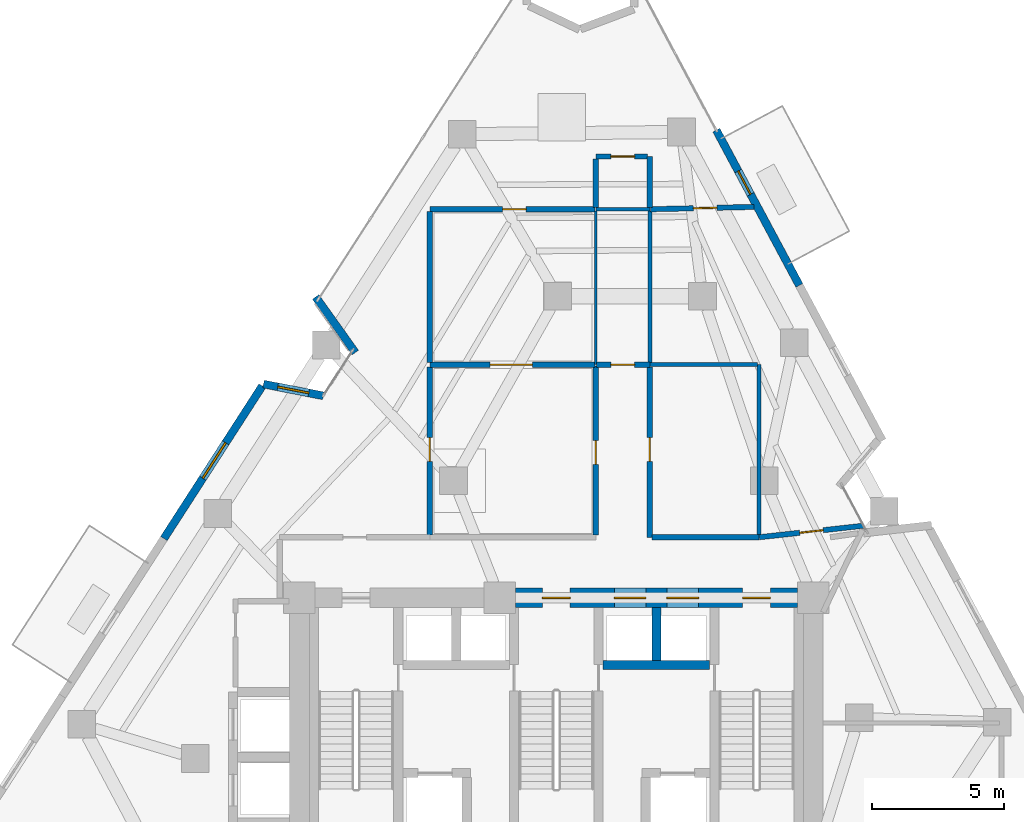
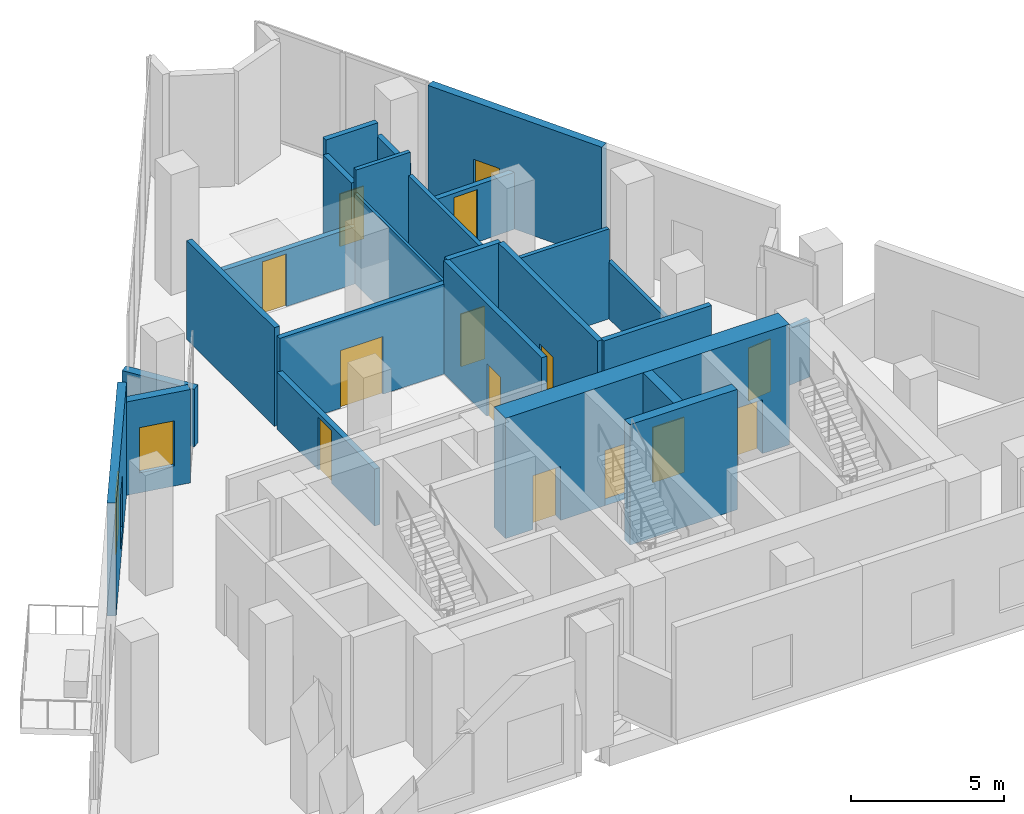
# One storey, part 7 of 10: 25 walls, 14 doors, 2 windows, 16 openings.
"""IFC4 building model written with IfcOpenShell, lengths in metres."""

from ifc_helpers import new_model, si_unit, direction, frame, frame_2d, origin, place, context, subcontext, project, spatial, rectangle, extrude, material, layer, layer_set, type_object, element, fill, save


model = new_model("IFC4")

# Units and contexts
model_context = context("Model", 3, precision=1e-05, world=origin(), true_north=direction((0.0, 1.0)))
body_context = subcontext(model_context, "Body", "Model", "MODEL_VIEW")
ifc_project = project(units=[si_unit("LENGTHUNIT", "METRE"), si_unit("AREAUNIT", "SQUARE_METRE"), si_unit("VOLUMEUNIT", "CUBIC_METRE"), si_unit("PLANEANGLEUNIT", "RADIAN"), si_unit("MASSUNIT", "GRAM", prefix="KILO")], contexts=[model_context])

# Site, building, storey
site_placement = place(None, origin())
site = spatial("IfcSite", under=ifc_project, at=site_placement, CompositionType="ELEMENT")
building_placement = place(site_placement, origin())
building = spatial("IfcBuilding", under=site, at=building_placement, Name="Almagre Mirador Tower", CompositionType="ELEMENT")
storey_placement = place(building_placement, frame((0.0, 0.0, 196.800048828125)))
storey = spatial("IfcBuildingStorey", under=building, at=storey_placement, Name="L51", CompositionType="ELEMENT", Elevation=196.800048828125)

# Wall, opening, window
ifc_material_1 = material(Name="Precast concrete C50/60", Category="concrete")
ifc_layer_1 = layer(ifc_material_1, 0.300048828125)
ifc_layer_set_1 = layer_set([ifc_layer_1], Name="Precast concrete C50/60")
wall_type_1 = type_object("IfcWallType", Name="WAL-EXT-300", PredefinedType="SOLIDWALL", material=ifc_layer_set_1)
wall_1_placement = place(storey_placement, frame((26.18701171875, 22.864990234375, 0.0), z_axis=(0.0, 0.0, 1.0), x_axis=(0.981236700383, -0.1928069963, 0.0)))
wall_1 = element("IfcWall", 1, at=wall_1_placement, inside=storey, type_object=wall_type_1, Name="L51 expressed almagre precast frame wall 01", PredefinedType="SOLIDWALL", context=body_context, shape_type="SweptSolid", body=[
    extrude(rectangle(XDim=2.3134765625, YDim=0.300048828125, at=frame_2d((1.15673828125, 0.0))), origin(), (0.0, 0.0, 1.0), 3.724853515625),
])
opening_1_placement = place(wall_1_placement, frame((0.550048828125, 0.0, 0.800048828125)))
opening_1 = element("IfcOpeningElement", 2, at=opening_1_placement, cuts=wall_1, Name="Opening WN-04", PredefinedType="OPENING", context=body_context, shape_type="SweptSolid", body=[
    extrude(rectangle(XDim=1.199951171875, YDim=1.800048828125, at=frame_2d((0.60009765625, 0.89990234375))), frame((0.0, 0.159902, 0.0), z_axis=(0.0, -1.0, 0.0), x_axis=(1.0, 0.0, 0.0)), (0.0, 0.0, 1.0), 0.320049),
])
ifc_material_2 = material(Name="Dark solar-control laminated hurricane glass", Category="glass")
window_type_1 = type_object("IfcWindowType", Name="WIN-1200X1800", PartitioningType="SINGLE_PANEL", PredefinedType="WINDOW", material=ifc_material_2)
window_1_placement = place(opening_1_placement, origin())
window_1 = element("IfcWindow", 3, at=window_1_placement, inside=storey, type_object=window_type_1, Name="L51 recessed hurricane window L51-SLOB-2", OverallHeight=1.800048828125, OverallWidth=1.199951171875, PartitioningType="SINGLE_PANEL", PredefinedType="WINDOW", context=body_context, shape_type="SweptSolid", body=[
    extrude(rectangle(XDim=1.199951171875, YDim=1.800048828125, at=frame_2d((0.60009765625, 0.89990234375))), frame((0.0, 0.030029296875, 0.0), z_axis=(0.0, -1.0, 0.0), x_axis=(1.0, 0.0, 0.0)), (0.0, 0.0, 1.0), 0.06005859375),
])
fill(opening_1, window_1)

# Wall
wall_2_placement = place(storey_placement, frame((29.67138671875, 24.06103515625, 0.0), z_axis=(0.0, 0.0, 1.0), x_axis=(-0.580472212384, 0.814280056645, 0.0)))
element("IfcWall", 4, at=wall_2_placement, inside=storey, type_object=wall_type_1, Name="L51 expressed almagre precast frame wall 02", PredefinedType="SOLIDWALL", context=body_context, shape_type="SweptSolid", body=[
    extrude(rectangle(XDim=2.59375, YDim=0.300048828125, at=frame_2d((1.296875, 0.0))), origin(), (0.0, 0.0, 1.0), 2.300048828125),
])

# Wall, opening, door
wall_3_placement = place(storey_placement, frame((43.3740234375, 32.503173828125, 0.0), z_axis=(0.0, 0.0, 1.0), x_axis=(0.471750001728, -0.881732349338, 0.0)))
wall_3 = element("IfcWall", 5, at=wall_3_placement, inside=storey, type_object=wall_type_1, Name="L51 expressed almagre precast frame wall 07", PredefinedType="SOLIDWALL", context=body_context, shape_type="SweptSolid", body=[
    extrude(rectangle(XDim=6.683837890625, YDim=0.300048828125, at=frame_2d((3.341796875, 0.0))), origin(), (0.0, 0.0, 1.0), 4.5),
])
opening_2_placement = place(wall_3_placement, frame((1.761962890625, 0.0, 0.0)))
opening_2 = element("IfcOpeningElement", 6, at=opening_2_placement, cuts=wall_3, Name="Opening BD-01", PredefinedType="OPENING", context=body_context, shape_type="SweptSolid", body=[
    extrude(rectangle(XDim=1.0, YDim=2.199951171875, at=frame_2d((0.5, 1.10009765625))), frame((0.0, 0.159902, 0.0), z_axis=(0.0, -1.0, 0.0), x_axis=(1.0, 0.0, 0.0)), (0.0, 0.0, 1.0), 0.320049),
])
ifc_material_3 = material(Name="Black anodized aluminium and laminated glass", Category="aluminium")
door_type_1 = type_object("IfcDoorType", Name="DOR-BAL-1000X2200", OperationType="NOTDEFINED", PredefinedType="DOOR", material=ifc_material_3)
door_1_placement = place(opening_2_placement, origin())
door_1 = element("IfcDoor", 7, at=door_1_placement, inside=storey, type_object=door_type_1, Name="DR-1596 L51 east balcony glazed door 1", OperationType="SINGLE_SWING_RIGHT", OverallHeight=2.199951171875, OverallWidth=1.0, PredefinedType="DOOR", context=body_context, shape_type="SweptSolid", body=[
    extrude(rectangle(XDim=1.0, YDim=2.199951171875, at=frame_2d((0.5, 1.10009765625))), frame((0.0, 0.02490234375, 0.0), z_axis=(0.0, -1.0, 0.0), x_axis=(1.0, 0.0, 0.0)), (0.0, 0.0, 1.0), 0.050048828125),
])
fill(opening_2, door_1)

# Wall, opening, window
wall_4_placement = place(storey_placement, frame((22.406005859375, 17.0029296875, 0.0), z_axis=(0.0, 0.0, 1.0), x_axis=(0.542012269595, 0.840370572788, 0.0)))
wall_4 = element("IfcWall", 8, at=wall_4_placement, inside=storey, type_object=wall_type_1, Name="L51 expressed almagre precast frame wall 30", PredefinedType="SOLIDWALL", context=body_context, shape_type="SweptSolid", body=[
    extrude(rectangle(XDim=6.890625, YDim=0.300048828125, at=frame_2d((3.4453125, 0.0))), origin(), (0.0, 0.0, 1.0), 4.5),
])
opening_3_placement = place(wall_4_placement, frame((2.72509765625, 0.0, 0.550048828125)))
opening_3 = element("IfcOpeningElement", 9, at=opening_3_placement, cuts=wall_4, Name="Opening WN-06", PredefinedType="OPENING", context=body_context, shape_type="SweptSolid", body=[
    extrude(rectangle(XDim=1.60009765625, YDim=2.199951171875, at=frame_2d((0.800048828125, 1.10009765625))), frame((0.0, 0.159902, 0.0), z_axis=(0.0, -1.0, 0.0), x_axis=(1.0, 0.0, 0.0)), (0.0, 0.0, 1.0), 0.320049),
])
ifc_material_4 = material(Name="Dark solar-control laminated hurricane glass", Category="glass")
window_type_2 = type_object("IfcWindowType", Name="WIN-1600X2200", PartitioningType="DOUBLE_PANEL_VERTICAL", PredefinedType="WINDOW", material=ifc_material_4)
window_2_placement = place(opening_3_placement, origin())
window_2 = element("IfcWindow", 10, at=window_2_placement, inside=storey, type_object=window_type_2, Name="L51 recessed hurricane window L51-SLOB-2", OverallHeight=2.199951171875, OverallWidth=1.60009765625, PartitioningType="SINGLE_PANEL", PredefinedType="WINDOW", context=body_context, shape_type="SweptSolid", body=[
    extrude(rectangle(XDim=1.60009765625, YDim=2.199951171875, at=frame_2d((0.800048828125, 1.10009765625))), frame((0.0, 0.030029296875, 0.0), z_axis=(0.0, -1.0, 0.0), x_axis=(1.0, 0.0, 0.0)), (0.0, 0.0, 1.0), 0.06005859375),
])
fill(opening_3, window_2)

# Walls
ifc_material_5 = material(Name="Gypsum acoustic stud partition", Category="other")
ifc_layer_2 = layer(ifc_material_5, 0.10009765625)
ifc_layer_set_2 = layer_set([ifc_layer_2], Name="Gypsum acoustic stud partition")
wall_type_2 = type_object("IfcWallType", Name="WAL-PRT-100-CLS", PredefinedType="PARTITIONING", material=ifc_layer_set_2)
wall_5_placement = place(storey_placement, frame((38.800048828125, 29.43994140625, 0.0), z_axis=(0.0, 0.0, 1.0), x_axis=(0.0, -1.0, 0.0)))
element("IfcWall", 11, at=wall_5_placement, inside=storey, type_object=wall_type_2, Name="L51 interior partition 005", PredefinedType="PARTITIONING", context=body_context, shape_type="SweptSolid", body=[
    extrude(rectangle(XDim=5.83984375, YDim=0.10009765625, at=frame_2d((2.919921875, 0.0))), origin(), (0.0, 0.0, 1.0), 3.5859375),
])
ifc_material_6 = material(Name="Gypsum acoustic stud partition", Category="other")
ifc_layer_3 = layer(ifc_material_6, 0.14990234375)
ifc_layer_set_3 = layer_set([ifc_layer_3], Name="Gypsum acoustic stud partition")
wall_type_3 = type_object("IfcWallType", Name="WAL-PRT-150-STD", PredefinedType="PARTITIONING", material=ifc_layer_set_3)
wall_6_placement = place(storey_placement, frame((38.800048828125, 29.5, 0.0), z_axis=(0.0, 0.0, 1.0), x_axis=(1.0, 0.0, 0.0)))
element("IfcWall", 12, at=wall_6_placement, inside=storey, type_object=wall_type_3, Name="L51 interior partition 001", PredefinedType="PARTITIONING", context=body_context, shape_type="SweptSolid", body=[
    extrude(rectangle(XDim=2.050048828125, YDim=0.14990234375, at=frame_2d((1.02490234375, 0.0))), origin(), (0.0, 0.0, 1.0), 4.5),
])
wall_7_placement = place(storey_placement, frame((40.85009765625, 23.68505859375, 0.0), z_axis=(0.0, 0.0, 1.0), x_axis=(0.0, 1.0, 0.0)))
element("IfcWall", 13, at=wall_7_placement, inside=storey, type_object=wall_type_3, Name="L51 interior partition 007", PredefinedType="PARTITIONING", context=body_context, shape_type="SweptSolid", body=[
    extrude(rectangle(XDim=5.7548828125, YDim=0.14990234375, at=frame_2d((2.87744140625, 0.0))), origin(), (0.0, 0.0, 1.0), 3.5859375),
])
wall_8_placement = place(storey_placement, frame((45.0, 17.135009765625, 0.0), z_axis=(0.0, 0.0, 1.0), x_axis=(0.0, 1.0, 0.0)))
element("IfcWall", 14, at=wall_8_placement, inside=storey, type_object=wall_type_3, Name="L51 interior partition 010", PredefinedType="PARTITIONING", context=body_context, shape_type="SweptSolid", body=[
    extrude(rectangle(XDim=6.465087890625, YDim=0.14990234375, at=frame_2d((3.232421875, 0.0))), origin(), (0.0, 0.0, 1.0), 2.27001953125),
])
wall_9_placement = place(storey_placement, frame((44.93994140625, 23.60009765625, 0.0), z_axis=(0.0, 0.0, 1.0), x_axis=(-1.0, 0.0, 0.0)))
element("IfcWall", 15, at=wall_9_placement, inside=storey, type_object=wall_type_3, Name="L51 interior partition 011", PredefinedType="PARTITIONING", context=body_context, shape_type="SweptSolid", body=[
    extrude(rectangle(XDim=4.08984375, YDim=0.14990234375, at=frame_2d((2.044921875, 0.0))), origin(), (0.0, 0.0, 1.0), 3.5859375),
])
ifc_material_7 = material(Name="Gypsum acoustic stud partition", Category="other")
ifc_layer_4 = layer(ifc_material_7, 0.199951171875)
ifc_layer_set_4 = layer_set([ifc_layer_4], Name="Gypsum acoustic stud partition")
wall_type_4 = type_object("IfcWallType", Name="WAL-PRT-200-EI60", PredefinedType="PARTITIONING", material=ifc_layer_set_4)
wall_10_placement = place(storey_placement, frame((40.85009765625, 29.56005859375, 0.0), z_axis=(0.0, 0.0, 1.0), x_axis=(0.0, 1.0, 0.0)))
element("IfcWall", 16, at=wall_10_placement, inside=storey, type_object=wall_type_4, Name="L51 interior partition 002", PredefinedType="PARTITIONING", context=body_context, shape_type="SweptSolid", body=[
    extrude(rectangle(XDim=1.93994140625, YDim=0.199951171875, at=frame_2d((0.969970703125, 0.0))), origin(), (0.0, 0.0, 1.0), 3.93701171875),
])

# Wall, opening, door
wall_11_placement = place(storey_placement, frame((40.764892578125, 31.5, 0.0), z_axis=(0.0, 0.0, 1.0), x_axis=(-1.0, 0.0, 0.0)))
wall_11 = element("IfcWall", 17, at=wall_11_placement, inside=storey, type_object=wall_type_4, Name="L51 interior partition 003", PredefinedType="PARTITIONING", context=body_context, shape_type="SweptSolid", body=[
    extrude(rectangle(XDim=1.96484375, YDim=0.199951171875, at=frame_2d((0.982421875, 0.0))), origin(), (0.0, 0.0, 1.0), 4.5),
])
opening_4_placement = place(wall_11_placement, frame((0.489990234375, 0.0, 0.0)))
opening_4 = element("IfcOpeningElement", 18, at=opening_4_placement, cuts=wall_11, Name="Opening ID-03", PredefinedType="OPENING", context=body_context, shape_type="SweptSolid", body=[
    extrude(rectangle(XDim=0.89990234375, YDim=2.10009765625, at=frame_2d((0.449951171875, 1.050048828125))), frame((0.0, 0.110098, 0.0), z_axis=(0.0, -1.0, 0.0), x_axis=(1.0, 0.0, 0.0)), (0.0, 0.0, 1.0), 0.219951),
])
ifc_material_8 = material(Name="Fire-rated hollow steel", Category="steel")
door_type_2 = type_object("IfcDoorType", Name="DOR-FD60-900X2100", OperationType="NOTDEFINED", PredefinedType="DOOR", material=ifc_material_8)
door_2_placement = place(opening_4_placement, origin())
door_2 = element("IfcDoor", 19, at=door_2_placement, inside=storey, type_object=door_type_2, Name="DR-1613 L51 interior door L51-STEA to L51-SLOB-2", OperationType="SINGLE_SWING_LEFT", OverallHeight=2.10009765625, OverallWidth=0.89990234375, PredefinedType="DOOR", context=body_context, shape_type="SweptSolid", body=[
    extrude(rectangle(XDim=0.89990234375, YDim=2.10009765625, at=frame_2d((0.449951171875, 1.050048828125))), frame((0.0, 0.02490234375, 0.0), z_axis=(0.0, -1.0, 0.0), x_axis=(1.0, 0.0, 0.0)), (0.0, 0.0, 1.0), 0.050048828125),
])
fill(opening_4, door_2)

# Wall
wall_12_placement = place(storey_placement, frame((38.800048828125, 31.4150390625, 0.0), z_axis=(0.0, 0.0, 1.0), x_axis=(0.0, -1.0, 0.0)))
element("IfcWall", 20, at=wall_12_placement, inside=storey, type_object=wall_type_4, Name="L51 interior partition 004", PredefinedType="PARTITIONING", context=body_context, shape_type="SweptSolid", body=[
    extrude(rectangle(XDim=1.85498046875, YDim=0.199951171875, at=frame_2d((0.927490234375, 0.0))), origin(), (0.0, 0.0, 1.0), 3.93701171875),
])

# Wall, opening, door
wall_13_placement = place(storey_placement, frame((38.8349609375, 23.60009765625, 0.0), z_axis=(0.0, 0.0, 1.0), x_axis=(1.0, 0.0, 0.0)))
wall_13 = element("IfcWall", 21, at=wall_13_placement, inside=storey, type_object=wall_type_4, Name="L51 interior partition 006", PredefinedType="PARTITIONING", context=body_context, shape_type="SweptSolid", body=[
    extrude(rectangle(XDim=2.01513671875, YDim=0.199951171875, at=frame_2d((1.007568359375, 0.0))), origin(), (0.0, 0.0, 1.0), 4.5),
])
opening_5_placement = place(wall_13_placement, frame((0.5400390625, 0.0, 0.0)))
opening_5 = element("IfcOpeningElement", 22, at=opening_5_placement, cuts=wall_13, Name="Opening ID-03", PredefinedType="OPENING", context=body_context, shape_type="SweptSolid", body=[
    extrude(rectangle(XDim=0.89990234375, YDim=2.10009765625, at=frame_2d((0.449951171875, 1.050048828125))), frame((0.0, 0.110098, 0.0), z_axis=(0.0, -1.0, 0.0), x_axis=(1.0, 0.0, 0.0)), (0.0, 0.0, 1.0), 0.219951),
])
door_3_placement = place(opening_5_placement, origin())
door_3 = element("IfcDoor", 23, at=door_3_placement, inside=storey, type_object=door_type_2, Name="DR-1603 L51 interior door L51-SBRS to L51-SCOR", OperationType="SINGLE_SWING_LEFT", OverallHeight=2.10009765625, OverallWidth=0.89990234375, PredefinedType="DOOR", context=body_context, shape_type="SweptSolid", body=[
    extrude(rectangle(XDim=0.89990234375, YDim=2.10009765625, at=frame_2d((0.449951171875, 1.050048828125))), frame((0.0, 0.02490234375, 0.0), z_axis=(0.0, -1.0, 0.0), x_axis=(1.0, 0.0, 0.0)), (0.0, 0.0, 1.0), 0.050048828125),
])
fill(opening_5, door_3)

wall_14_placement = place(storey_placement, frame((40.85009765625, 23.514892578125, 0.0), z_axis=(0.0, 0.0, 1.0), x_axis=(0.0, -1.0, 0.0)))
wall_14 = element("IfcWall", 24, at=wall_14_placement, inside=storey, type_object=wall_type_4, Name="L51 interior partition 008", PredefinedType="PARTITIONING", context=body_context, shape_type="SweptSolid", body=[
    extrude(rectangle(XDim=6.46484375, YDim=0.199951171875, at=frame_2d((3.232421875, 0.0))), origin(), (0.0, 0.0, 1.0), 4.5),
])
opening_6_placement = place(wall_14_placement, frame((2.680419921875, 0.0, 0.0)))
opening_6 = element("IfcOpeningElement", 25, at=opening_6_placement, cuts=wall_14, Name="Opening ID-03", PredefinedType="OPENING", context=body_context, shape_type="SweptSolid", body=[
    extrude(rectangle(XDim=0.89990234375, YDim=2.10009765625, at=frame_2d((0.449951171875, 1.050048828125))), frame((0.0, 0.110098, 0.0), z_axis=(0.0, -1.0, 0.0), x_axis=(1.0, 0.0, 0.0)), (0.0, 0.0, 1.0), 0.219951),
])
door_4_placement = place(opening_6_placement, origin())
door_4 = element("IfcDoor", 26, at=door_4_placement, inside=storey, type_object=door_type_2, Name="DR-1609 L51 interior door L51-SWCA2 to L51-SCOR", OperationType="SINGLE_SWING_LEFT", OverallHeight=2.10009765625, OverallWidth=0.89990234375, PredefinedType="DOOR", context=body_context, shape_type="SweptSolid", body=[
    extrude(rectangle(XDim=0.89990234375, YDim=2.10009765625, at=frame_2d((0.449951171875, 1.050048828125))), frame((0.0, 0.02490234375, 0.0), z_axis=(0.0, -1.0, 0.0), x_axis=(1.0, 0.0, 0.0)), (0.0, 0.0, 1.0), 0.050048828125),
])
fill(opening_6, door_4)

# Wall
wall_15_placement = place(storey_placement, frame((40.93505859375, 17.050048828125, 0.0), z_axis=(0.0, 0.0, 1.0), x_axis=(1.0, 0.0, 0.0)))
element("IfcWall", 27, at=wall_15_placement, inside=storey, type_object=wall_type_4, Name="L51 interior partition 009", PredefinedType="PARTITIONING", context=body_context, shape_type="SweptSolid", body=[
    extrude(rectangle(XDim=4.06494140625, YDim=0.199951171875, at=frame_2d((2.032470703125, 0.0))), origin(), (0.0, 0.0, 1.0), 4.5),
])

# Wall, opening, door
wall_16_placement = place(storey_placement, frame((32.5, 23.60009765625, 0.0), z_axis=(0.0, 0.0, 1.0), x_axis=(1.0, 0.0, 0.0)))
wall_16 = element("IfcWall", 28, at=wall_16_placement, inside=storey, type_object=wall_type_4, Name="L51 interior partition 014", PredefinedType="PARTITIONING", context=body_context, shape_type="SweptSolid", body=[
    extrude(rectangle(XDim=6.264892578125, YDim=0.199951171875, at=frame_2d((3.13232421875, 0.0))), origin(), (0.0, 0.0, 1.0), 3.5859375),
])
opening_7_placement = place(wall_16_placement, frame((2.290283203125, 0.0, 0.0)))
opening_7 = element("IfcOpeningElement", 29, at=opening_7_placement, cuts=wall_16, Name="Opening ID-05", PredefinedType="OPENING", context=body_context, shape_type="SweptSolid", body=[
    extrude(rectangle(XDim=1.60009765625, YDim=2.300048828125, at=frame_2d((0.800048828125, 1.14990234375))), frame((0.0, 0.110098, 0.0), z_axis=(0.0, -1.0, 0.0), x_axis=(1.0, 0.0, 0.0)), (0.0, 0.0, 1.0), 0.219951),
])
ifc_material_9 = material(Name="Fire-rated acoustic timber", Category="wood")
door_type_3 = type_object("IfcDoorType", Name="DOR-FD60-1600X2300", OperationType="DOUBLE_DOOR_SINGLE_SWING", PredefinedType="DOOR", material=ifc_material_9)
door_5_placement = place(opening_7_placement, origin())
door_5 = element("IfcDoor", 30, at=door_5_placement, inside=storey, type_object=door_type_3, Name="DR-1610 L51 interior door L51-SGAL to L51-SLOB", OperationType="DOUBLE_DOOR_SINGLE_SWING", OverallHeight=2.300048828125, OverallWidth=1.60009765625, PredefinedType="DOOR", context=body_context, shape_type="SweptSolid", body=[
    extrude(rectangle(XDim=1.60009765625, YDim=2.300048828125, at=frame_2d((0.800048828125, 1.14990234375))), frame((0.0, 0.02490234375, 0.0), z_axis=(0.0, -1.0, 0.0), x_axis=(1.0, 0.0, 0.0)), (0.0, 0.0, 1.0), 0.050048828125),
])
fill(opening_7, door_5)

wall_17_placement = place(storey_placement, frame((38.77490234375, 29.5, 0.0), z_axis=(0.0, 0.0, 1.0), x_axis=(-1.0, 0.0, 0.0)))
wall_17 = element("IfcWall", 31, at=wall_17_placement, inside=storey, type_object=wall_type_4, Name="L51 interior partition 015", PredefinedType="PARTITIONING", context=body_context, shape_type="SweptSolid", body=[
    extrude(rectangle(XDim=6.27490234375, YDim=0.199951171875, at=frame_2d((3.137451171875, 0.0))), origin(), (0.0, 0.0, 1.0), 2.27001953125),
])
opening_8_placement = place(wall_17_placement, frame((2.615478515625, 0.0, 0.0)))
opening_8 = element("IfcOpeningElement", 32, at=opening_8_placement, cuts=wall_17, Name="Opening ID-03", PredefinedType="OPENING", context=body_context, shape_type="SweptSolid", body=[
    extrude(rectangle(XDim=0.89990234375, YDim=2.10009765625, at=frame_2d((0.449951171875, 1.050048828125))), frame((0.0, 0.110098, 0.0), z_axis=(0.0, -1.0, 0.0), x_axis=(1.0, 0.0, 0.0)), (0.0, 0.0, 1.0), 0.219951),
])
door_6_placement = place(opening_8_placement, origin())
door_6 = element("IfcDoor", 33, at=door_6_placement, inside=storey, type_object=door_type_2, Name="DR-1611 L51 interior door L51-SGAL to L51-SLOB-2", OperationType="SINGLE_SWING_LEFT", OverallHeight=2.10009765625, OverallWidth=0.89990234375, PredefinedType="DOOR", context=body_context, shape_type="SweptSolid", body=[
    extrude(rectangle(XDim=0.89990234375, YDim=2.10009765625, at=frame_2d((0.449951171875, 1.050048828125))), frame((0.0, 0.02490234375, 0.0), z_axis=(0.0, -1.0, 0.0), x_axis=(1.0, 0.0, 0.0)), (0.0, 0.0, 1.0), 0.050048828125),
])
fill(opening_8, door_6)

# Wall
wall_18_placement = place(storey_placement, frame((32.5, 29.4150390625, 0.0), z_axis=(0.0, 0.0, 1.0), x_axis=(0.0, -1.0, 0.0)))
element("IfcWall", 34, at=wall_18_placement, inside=storey, type_object=wall_type_4, Name="L51 interior partition 016", PredefinedType="PARTITIONING", context=body_context, shape_type="SweptSolid", body=[
    extrude(rectangle(XDim=5.72998046875, YDim=0.199951171875, at=frame_2d((2.864990234375, 0.0))), origin(), (0.0, 0.0, 1.0), 3.93701171875),
])

# Wall, opening, door
wall_19_placement = place(storey_placement, frame((38.800048828125, 17.135009765625, 0.0), z_axis=(0.0, 0.0, 1.0), x_axis=(0.0, 1.0, 0.0)))
wall_19 = element("IfcWall", 35, at=wall_19_placement, inside=storey, type_object=wall_type_4, Name="L51 interior partition 018", PredefinedType="PARTITIONING", context=body_context, shape_type="SweptSolid", body=[
    extrude(rectangle(XDim=6.4150390625, YDim=0.199951171875, at=frame_2d((3.20751953125, 0.0))), origin(), (0.0, 0.0, 1.0), 4.5),
])
opening_9_placement = place(wall_19_placement, frame((2.680419921875, 0.0, 0.0)))
opening_9 = element("IfcOpeningElement", 36, at=opening_9_placement, cuts=wall_19, Name="Opening ID-03", PredefinedType="OPENING", context=body_context, shape_type="SweptSolid", body=[
    extrude(rectangle(XDim=0.89990234375, YDim=2.10009765625, at=frame_2d((0.449951171875, 1.050048828125))), frame((0.0, 0.110098, 0.0), z_axis=(0.0, -1.0, 0.0), x_axis=(1.0, 0.0, 0.0)), (0.0, 0.0, 1.0), 0.219951),
])
door_7_placement = place(opening_9_placement, origin())
door_7 = element("IfcDoor", 37, at=door_7_placement, inside=storey, type_object=door_type_2, Name="DR-1607 L51 interior door L51-SLOB to L51-SCOR", OperationType="SINGLE_SWING_LEFT", OverallHeight=2.10009765625, OverallWidth=0.89990234375, PredefinedType="DOOR", context=body_context, shape_type="SweptSolid", body=[
    extrude(rectangle(XDim=0.89990234375, YDim=2.10009765625, at=frame_2d((0.449951171875, 1.050048828125))), frame((0.0, 0.02490234375, 0.0), z_axis=(0.0, -1.0, 0.0), x_axis=(1.0, 0.0, 0.0)), (0.0, 0.0, 1.0), 0.050048828125),
])
fill(opening_9, door_7)

wall_20_placement = place(storey_placement, frame((32.5, 23.514892578125, 0.0), z_axis=(0.0, 0.0, 1.0), x_axis=(0.0, -1.0, 0.0)))
wall_20 = element("IfcWall", 38, at=wall_20_placement, inside=storey, type_object=wall_type_4, Name="L51 interior partition 019", PredefinedType="PARTITIONING", context=body_context, shape_type="SweptSolid", body=[
    extrude(rectangle(XDim=6.3798828125, YDim=0.199951171875, at=frame_2d((3.18994140625, 0.0))), origin(), (0.0, 0.0, 1.0), 2.27001953125),
])
opening_10_placement = place(wall_20_placement, frame((2.680419921875, 0.0, 0.0)))
opening_10 = element("IfcOpeningElement", 39, at=opening_10_placement, cuts=wall_20, Name="Opening ID-03", PredefinedType="OPENING", context=body_context, shape_type="SweptSolid", body=[
    extrude(rectangle(XDim=0.89990234375, YDim=2.10009765625, at=frame_2d((0.449951171875, 1.050048828125))), frame((0.0, 0.110098, 0.0), z_axis=(0.0, -1.0, 0.0), x_axis=(1.0, 0.0, 0.0)), (0.0, 0.0, 1.0), 0.219951),
])
door_8_placement = place(opening_10_placement, origin())
door_8 = element("IfcDoor", 40, at=door_8_placement, inside=storey, type_object=door_type_2, Name="DR-1612 L51 interior door L51-SLOB to L51-SLOB-2", OperationType="SINGLE_SWING_RIGHT", OverallHeight=2.10009765625, OverallWidth=0.89990234375, PredefinedType="DOOR", context=body_context, shape_type="SweptSolid", body=[
    extrude(rectangle(XDim=0.89990234375, YDim=2.10009765625, at=frame_2d((0.449951171875, 1.050048828125))), frame((0.0, 0.02490234375, 0.0), z_axis=(0.0, -1.0, 0.0), x_axis=(1.0, 0.0, 0.0)), (0.0, 0.0, 1.0), 0.050048828125),
])
fill(opening_10, door_8)

wall_21_placement = place(storey_placement, frame((48.947021484375, 17.486083984375, 0.0), z_axis=(0.0, 0.0, 1.0), x_axis=(-0.993953264298, -0.109803954354, 0.0)))
wall_21 = element("IfcWall", 41, at=wall_21_placement, inside=storey, type_object=wall_type_4, Name="L51 interior partition 021", PredefinedType="PARTITIONING", context=body_context, shape_type="SweptSolid", body=[
    extrude(rectangle(XDim=3.970947265625, YDim=0.199951171875, at=frame_2d((1.9853515625, 0.0))), origin(), (0.0, 0.0, 1.0), 2.27001953125),
])
opening_11_placement = place(wall_21_placement, frame((1.5244140625, 0.0, 0.0)))
opening_11 = element("IfcOpeningElement", 42, at=opening_11_placement, cuts=wall_21, Name="Opening ID-03", PredefinedType="OPENING", context=body_context, shape_type="SweptSolid", body=[
    extrude(rectangle(XDim=0.89990234375, YDim=2.10009765625, at=frame_2d((0.449951171875, 1.050048828125))), frame((0.0, 0.110098, 0.0), z_axis=(0.0, -1.0, 0.0), x_axis=(1.0, 0.0, 0.0)), (0.0, 0.0, 1.0), 0.219951),
])
door_9_placement = place(opening_11_placement, origin())
door_9 = element("IfcDoor", 43, at=door_9_placement, inside=storey, type_object=door_type_2, Name="DR-1605 L51 interior door L51-SCOR to L51-SCAF-3", OperationType="SINGLE_SWING_LEFT", OverallHeight=2.10009765625, OverallWidth=0.89990234375, PredefinedType="DOOR", context=body_context, shape_type="SweptSolid", body=[
    extrude(rectangle(XDim=0.89990234375, YDim=2.10009765625, at=frame_2d((0.449951171875, 1.050048828125))), frame((0.0, 0.02490234375, 0.0), z_axis=(0.0, -1.0, 0.0), x_axis=(1.0, 0.0, 0.0)), (0.0, 0.0, 1.0), 0.050048828125),
])
fill(opening_11, door_9)

wall_22_placement = place(storey_placement, frame((44.799072265625, 29.589111328125, 0.0), z_axis=(0.0, 0.0, 1.0), x_axis=(-0.999745068637, -0.022578700922, 0.0)))
wall_22 = element("IfcWall", 44, at=wall_22_placement, inside=storey, type_object=wall_type_4, Name="L51 interior partition 026", PredefinedType="PARTITIONING", context=body_context, shape_type="SweptSolid", body=[
    extrude(rectangle(XDim=3.925048828125, YDim=0.199951171875, at=frame_2d((1.96240234375, 0.0))), origin(), (0.0, 0.0, 1.0), 2.27001953125),
])
opening_12_placement = place(wall_22_placement, frame((1.399658203125, 0.0, 0.0)))
opening_12 = element("IfcOpeningElement", 45, at=opening_12_placement, cuts=wall_22, Name="Opening ID-03", PredefinedType="OPENING", context=body_context, shape_type="SweptSolid", body=[
    extrude(rectangle(XDim=0.89990234375, YDim=2.10009765625, at=frame_2d((0.449951171875, 1.050048828125))), frame((0.0, 0.110098, 0.0), z_axis=(0.0, -1.0, 0.0), x_axis=(1.0, 0.0, 0.0)), (0.0, 0.0, 1.0), 0.219951),
])
door_10_placement = place(opening_12_placement, origin())
door_10 = element("IfcDoor", 46, at=door_10_placement, inside=storey, type_object=door_type_2, Name="DR-1606 L51 interior door L51-SCAF-3 to L51-SLOB-2", OperationType="SINGLE_SWING_RIGHT", OverallHeight=2.10009765625, OverallWidth=0.89990234375, PredefinedType="DOOR", context=body_context, shape_type="SweptSolid", body=[
    extrude(rectangle(XDim=0.89990234375, YDim=2.10009765625, at=frame_2d((0.449951171875, 1.050048828125))), frame((0.0, 0.02490234375, 0.0), z_axis=(0.0, -1.0, 0.0), x_axis=(1.0, 0.0, 0.0)), (0.0, 0.0, 1.0), 0.050048828125),
])
fill(opening_12, door_10)

# Walls
ifc_material_10 = material(Name="Concrete C60/75", Category="concrete")
ifc_layer_5 = layer(ifc_material_10, 0.35009765625)
ifc_layer_set_5 = layer_set([ifc_layer_5], Name="Concrete C60/75")
wall_type_5 = type_object("IfcWallType", Name="WAL-SHF-350", PredefinedType="SOLIDWALL", material=ifc_layer_set_5)
wall_23_placement = place(storey_placement, frame((39.074951171875, 12.199951171875, 0.0), z_axis=(0.0, 0.0, 1.0), x_axis=(1.0, 0.0, 0.0)))
element("IfcWall", 47, at=wall_23_placement, inside=storey, type_object=wall_type_5, Name="L51 shaft wall PLH-S", PredefinedType="SOLIDWALL", context=body_context, shape_type="SweptSolid", body=[
    extrude(rectangle(XDim=4.050048828125, YDim=0.35009765625, at=frame_2d((2.02490234375, 0.0))), origin(), (0.0, 0.0, 1.0), 4.800048828125),
])
wall_24_placement = place(storey_placement, frame((41.10009765625, 12.375, 0.0), z_axis=(0.0, 0.0, 1.0), x_axis=(0.0, 1.0, 0.0)))
element("IfcWall", 48, at=wall_24_placement, inside=storey, type_object=wall_type_5, Name="L51 shaft wall PLH-M", PredefinedType="SOLIDWALL", context=body_context, shape_type="SweptSolid", body=[
    extrude(rectangle(XDim=2.0, YDim=0.35009765625, at=frame_2d((1.0, 0.0))), origin(), (0.0, 0.0, 1.0), 4.800048828125),
])

# Wall, openings, doors
ifc_material_11 = material(Name="Concrete C60/75", Category="concrete")
ifc_layer_6 = layer(ifc_material_11, 0.75)
ifc_layer_set_6 = layer_set([ifc_layer_6], Name="Concrete C60/75")
wall_type_6 = type_object("IfcWallType", Name="WAL-SHR-750", PredefinedType="SHEAR", material=ifc_layer_set_6)
wall_25_placement = place(storey_placement, frame((35.75, 14.75, 0.0), z_axis=(0.0, 0.0, 1.0), x_axis=(1.0, 0.0, 0.0)))
wall_25 = element("IfcWall", 49, at=wall_25_placement, inside=storey, type_object=wall_type_6, Name="L51 core shear wall N2", PredefinedType="SHEAR", context=body_context, shape_type="SweptSolid", body=[
    extrude(rectangle(XDim=10.699951171875, YDim=0.75, at=frame_2d((5.35009765625, 0.0))), origin(), (0.0, 0.0, 1.0), 4.800048828125),
])
opening_13_placement = place(wall_25_placement, frame((1.02490234375, 0.0, 0.0)))
opening_13 = element("IfcOpeningElement", 50, at=opening_13_placement, cuts=wall_25, Name="Opening SD-01", PredefinedType="OPENING", context=body_context, shape_type="SweptSolid", body=[
    extrude(rectangle(XDim=1.050048828125, YDim=2.14990234375, at=frame_2d((0.52490234375, 1.074951171875))), frame((0.0, 0.385, 0.0), z_axis=(0.0, -1.0, 0.0), x_axis=(1.0, 0.0, 0.0)), (0.0, 0.0, 1.0), 0.77),
])
opening_14_placement = place(wall_25_placement, frame((8.625, 0.0, 0.0)))
opening_14 = element("IfcOpeningElement", 51, at=opening_14_placement, cuts=wall_25, Name="Opening SD-01", PredefinedType="OPENING", context=body_context, shape_type="SweptSolid", body=[
    extrude(rectangle(XDim=1.050048828125, YDim=2.14990234375, at=frame_2d((0.52490234375, 1.074951171875))), frame((0.0, 0.385, 0.0), z_axis=(0.0, -1.0, 0.0), x_axis=(1.0, 0.0, 0.0)), (0.0, 0.0, 1.0), 0.77),
])
opening_15_placement = place(wall_25_placement, frame((3.75, 0.0, 0.0)))
opening_15 = element("IfcOpeningElement", 52, at=opening_15_placement, cuts=wall_25, Name="Opening LD-02", PredefinedType="OPENING", context=body_context, shape_type="SweptSolid", body=[
    extrude(rectangle(XDim=1.199951171875, YDim=2.199951171875, at=frame_2d((0.60009765625, 1.10009765625))), frame((0.0, 0.385, 0.0), z_axis=(0.0, -1.0, 0.0), x_axis=(1.0, 0.0, 0.0)), (0.0, 0.0, 1.0), 0.77),
])
opening_16_placement = place(wall_25_placement, frame((5.75, 0.0, 0.0)))
opening_16 = element("IfcOpeningElement", 53, at=opening_16_placement, cuts=wall_25, Name="Opening LD-02", PredefinedType="OPENING", context=body_context, shape_type="SweptSolid", body=[
    extrude(rectangle(XDim=1.199951171875, YDim=2.199951171875, at=frame_2d((0.60009765625, 1.10009765625))), frame((0.0, 0.385, 0.0), z_axis=(0.0, -1.0, 0.0), x_axis=(1.0, 0.0, 0.0)), (0.0, 0.0, 1.0), 0.77),
])
ifc_material_12 = material(Name="Hollow stainless steel", Category="steel")
door_type_4 = type_object("IfcDoorType", Name="DOR-LD-1200X2200", OperationType="DOUBLE_DOOR_SLIDING", PredefinedType="DOOR", material=ifc_material_12)
door_11_placement = place(opening_15_placement, origin())
door_11 = element("IfcDoor", 54, at=door_11_placement, inside=storey, type_object=door_type_4, Name="DR-1618 L51 PL-H1 lift landing door", OperationType="DOUBLE_DOOR_SLIDING", OverallHeight=2.199951171875, OverallWidth=1.199951171875, PredefinedType="DOOR", context=body_context, shape_type="SweptSolid", body=[
    extrude(rectangle(XDim=1.199951171875, YDim=2.199951171875, at=frame_2d((0.60009765625, 1.10009765625))), frame((0.0, 0.02490234375, 0.0), z_axis=(0.0, -1.0, 0.0), x_axis=(1.0, 0.0, 0.0)), (0.0, 0.0, 1.0), 0.050048828125),
])
fill(opening_15, door_11)
door_12_placement = place(opening_16_placement, origin())
door_12 = element("IfcDoor", 55, at=door_12_placement, inside=storey, type_object=door_type_4, Name="DR-1619 L51 PL-H2 lift landing door", OperationType="DOUBLE_DOOR_SLIDING", OverallHeight=2.199951171875, OverallWidth=1.199951171875, PredefinedType="DOOR", context=body_context, shape_type="SweptSolid", body=[
    extrude(rectangle(XDim=1.199951171875, YDim=2.199951171875, at=frame_2d((0.60009765625, 1.10009765625))), frame((0.0, 0.02490234375, 0.0), z_axis=(0.0, -1.0, 0.0), x_axis=(1.0, 0.0, 0.0)), (0.0, 0.0, 1.0), 0.050048828125),
])
fill(opening_16, door_12)
ifc_material_13 = material(Name="Fire-rated hollow steel", Category="steel")
door_type_5 = type_object("IfcDoorType", Name="DOR-ST-1050X2150", OperationType="NOTDEFINED", PredefinedType="DOOR", material=ifc_material_13)
door_13_placement = place(opening_13_placement, origin())
door_13 = element("IfcDoor", 56, at=door_13_placement, inside=storey, type_object=door_type_5, Name="DR-1621 L51 protected exit stair ST-2 door", OperationType="SINGLE_SWING_RIGHT", OverallHeight=2.14990234375, OverallWidth=1.050048828125, PredefinedType="DOOR", context=body_context, shape_type="SweptSolid", body=[
    extrude(rectangle(XDim=1.050048828125, YDim=2.14990234375, at=frame_2d((0.52490234375, 1.074951171875))), frame((0.0, 0.02490234375, 0.0), z_axis=(0.0, -1.0, 0.0), x_axis=(1.0, 0.0, 0.0)), (0.0, 0.0, 1.0), 0.050048828125),
])
fill(opening_13, door_13)
door_14_placement = place(opening_14_placement, origin())
door_14 = element("IfcDoor", 57, at=door_14_placement, inside=storey, type_object=door_type_5, Name="DR-1622 L51 protected exit stair ST-3 door", OperationType="SINGLE_SWING_LEFT", OverallHeight=2.14990234375, OverallWidth=1.050048828125, PredefinedType="DOOR", context=body_context, shape_type="SweptSolid", body=[
    extrude(rectangle(XDim=1.050048828125, YDim=2.14990234375, at=frame_2d((0.52490234375, 1.074951171875))), frame((0.0, 0.02490234375, 0.0), z_axis=(0.0, -1.0, 0.0), x_axis=(1.0, 0.0, 0.0)), (0.0, 0.0, 1.0), 0.050048828125),
])
fill(opening_14, door_14)

save(model, "model.ifc")
